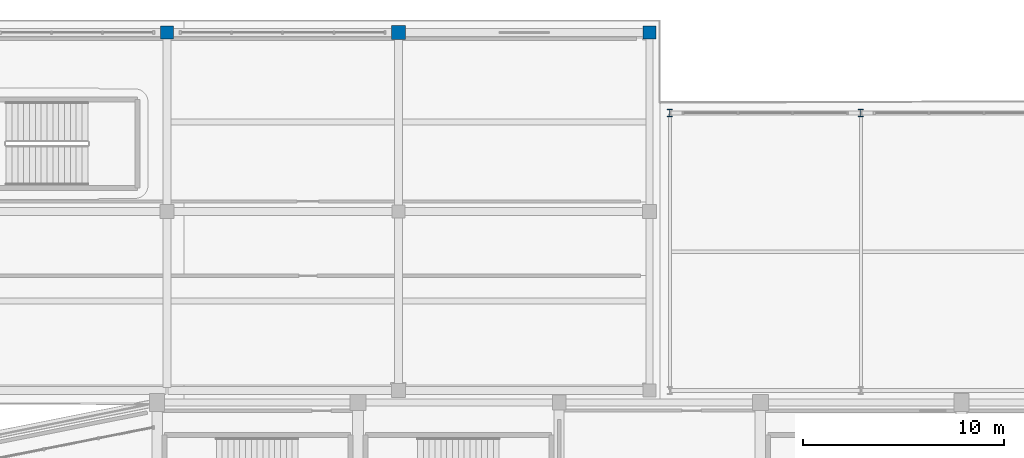
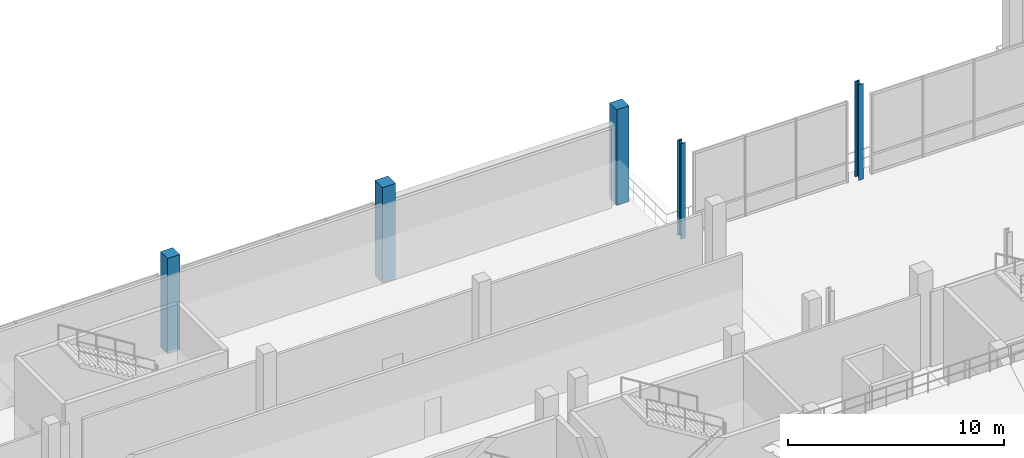
# One storey, part 8 of 127: 5 columns.
"""IFC4 building model written with IfcOpenShell, lengths in metres."""

from ifc_helpers import new_model, si_unit, direction, frame, origin, origin_2d, place, context, subcontext, project, spatial, rectangle, i_section, extrude, material, material_profile, profile_set, type_object, element, save


model = new_model("IFC4")

# Units and contexts
model_context = context("Model", 3, precision=1e-05, world=origin(), true_north=direction((0.0, 1.0)))
body_context = subcontext(model_context, "Body", "Model", "MODEL_VIEW")
ifc_project = project(units=[si_unit("LENGTHUNIT", "METRE"), si_unit("AREAUNIT", "SQUARE_METRE"), si_unit("VOLUMEUNIT", "CUBIC_METRE"), si_unit("PLANEANGLEUNIT", "RADIAN"), si_unit("MASSUNIT", "GRAM", prefix="KILO")], contexts=[model_context])

# Site, building, storey
site_placement = place(None, origin())
site = spatial("IfcSite", under=ifc_project, at=site_placement, CompositionType="ELEMENT")
building_placement = place(site_placement, origin())
building = spatial("IfcBuilding", under=site, at=building_placement, Name="Candeia Ridge Stadium", CompositionType="ELEMENT")
storey_placement = place(building_placement, frame((0.0, 0.0, 10.800048828125)))
storey = spatial("IfcBuildingStorey", under=building, at=storey_placement, Name="L02", CompositionType="ELEMENT", Elevation=10.800048828125)

# Columns
ifc_material_1 = material(Name="Steel ASTM A572 Grade 50", Category="steel")
ifc_material_profile_1 = material_profile(ifc_material_1, i_section(OverallWidth=0.257080078125, OverallDepth=0.363037109375, WebThickness=0.012939453125, FlangeThickness=0.021728515625, FilletRadius=0.014892578125, at=origin_2d()), Name="W360x122", Category="steel")
ifc_profile_set_1 = profile_set([ifc_material_profile_1], Name="Steel ASTM A572 Grade 50")
column_type_1 = type_object("IfcColumnType", Name="Gate Steel Column W360x122", PredefinedType="COLUMN", material=ifc_profile_set_1)
for number, where, z_axis, x_axis, name in (
    (1, (96.5, 161.39990234375, 0.0), (0.0, 0.0, 1.0), (1.0, 0.0, 0.0), "Structural column NG-00-01 L02"),
    (2, (106.0, 161.39990234375, 0.0), (0.0, 0.0, 1.0), (1.0, 0.0, 0.0), "Structural column NG-01-01 L02"),
):
    element("IfcColumn", number, at=place(storey_placement, frame(where, z_axis=z_axis, x_axis=x_axis)), inside=storey, type_object=column_type_1, Name=name, PredefinedType="COLUMN", context=body_context, shape_type="SweptSolid", body=[
        extrude(i_section(OverallWidth=0.257080078125, OverallDepth=0.363037109375, WebThickness=0.012939453125, FlangeThickness=0.021728515625, FilletRadius=0.014892578125, at=origin_2d()), origin(), (0.0, 0.0, 1.0), 5.39990234375),
    ])
ifc_material_2 = material(Name="Concrete C40/50", Category="concrete")
ifc_material_profile_2 = material_profile(ifc_material_2, rectangle(XDim=0.64990234375, YDim=0.64990234375, at=origin_2d()), Name="RC650x650", Category="concrete")
ifc_profile_set_2 = profile_set([ifc_material_profile_2], Name="Concrete C40/50")
column_type_2 = type_object("IfcColumnType", Name="Reinforced Concrete Column RC650x650", PredefinedType="COLUMN", material=ifc_profile_set_2)
for number, where, z_axis, x_axis, name in (
    (3, (71.5, 165.39990234375, 0.0), (0.0, 0.0, 1.0), (1.0, 0.0, 0.0), "Structural column NWW-04-02 L02"),
    (4, (95.5, 165.39990234375, 0.0), (0.0, 0.0, 1.0), (1.0, 0.0, 0.0), "Structural column NWW-06-02 L02"),
):
    element("IfcColumn", number, at=place(storey_placement, frame(where, z_axis=z_axis, x_axis=x_axis)), inside=storey, type_object=column_type_2, Name=name, PredefinedType="COLUMN", context=body_context, shape_type="SweptSolid", body=[
        extrude(rectangle(XDim=0.64990234375, YDim=0.64990234375, at=origin_2d()), origin(), (0.0, 0.0, 1.0), 5.39990234375),
    ])
ifc_material_profile_3 = material_profile(ifc_material_2, rectangle(XDim=0.699951171875, YDim=0.699951171875, at=origin_2d()), Name="RC700x700", Category="concrete")
ifc_profile_set_3 = profile_set([ifc_material_profile_3], Name="Concrete C40/50")
column_type_3 = type_object("IfcColumnType", Name="Wing Column RC700x700", PredefinedType="COLUMN", material=ifc_profile_set_3)
column_placement = place(storey_placement, frame((83.0, 165.39990234375, 0.0), z_axis=(0.0, 0.0, 1.0), x_axis=(1.0, 0.0, 0.0)))
element("IfcColumn", 5, at=column_placement, inside=storey, type_object=column_type_3, Name="Structural column NWW-05-02 L02", PredefinedType="COLUMN", context=body_context, shape_type="SweptSolid", body=[
    extrude(rectangle(XDim=0.699951171875, YDim=0.699951171875, at=origin_2d()), origin(), (0.0, 0.0, 1.0), 5.39990234375),
])

save(model, "model.ifc")
